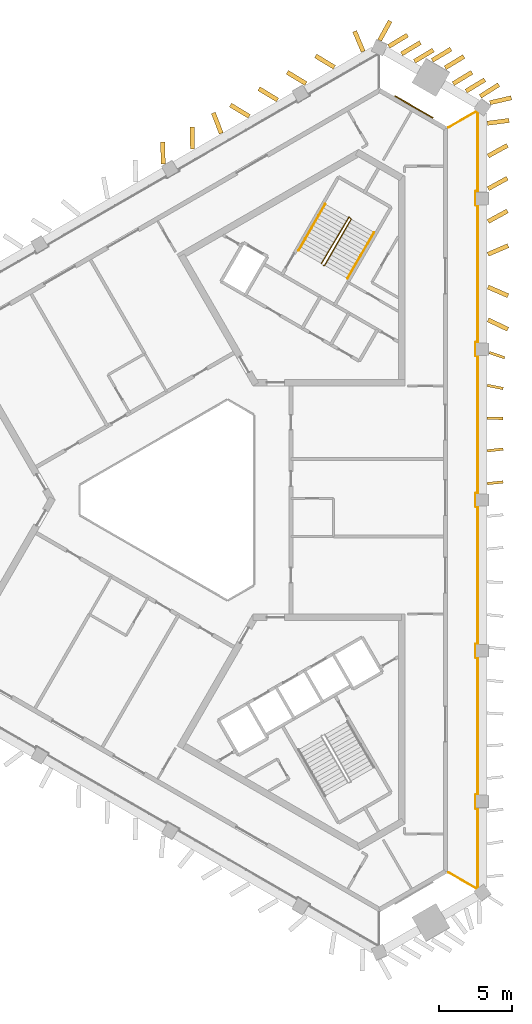
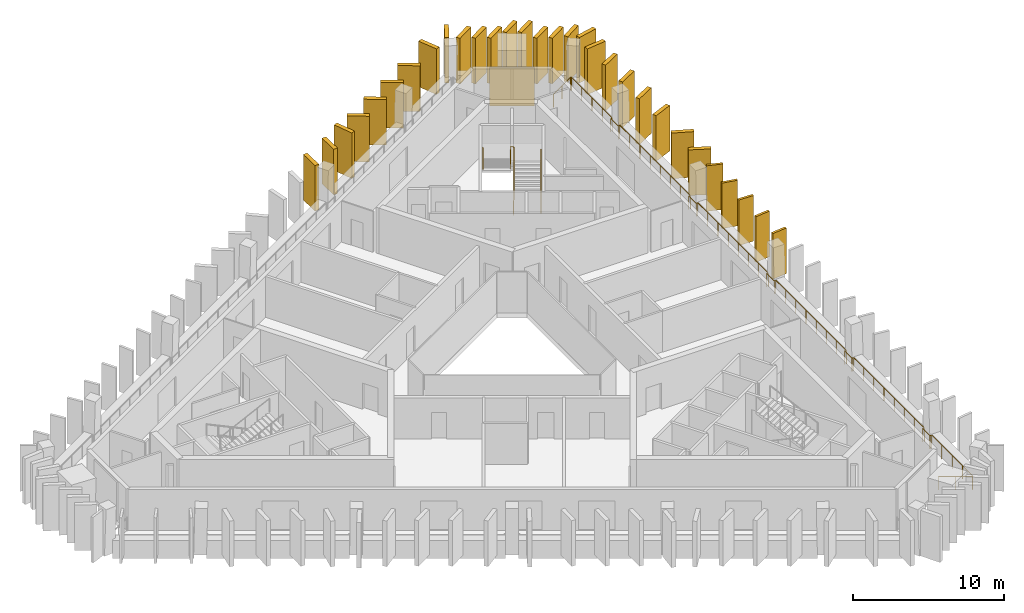
# One storey, part 9 of 9: 30 shading devices, 4 railings, 1 covering.
"""IFC4 building model written with IfcOpenShell, lengths in metres."""

from ifc_helpers import new_model, si_unit, direction, frame, frame_2d, origin, origin_2d, place, context, subcontext, project, spatial, rectangle, circle, extrude, material, layer, layer_set, type_object, element, save


model = new_model("IFC4")

# Units and contexts
model_context = context("Model", 3, precision=1e-05, world=origin(), true_north=direction((0.0, 1.0)))
body_context = subcontext(model_context, "Body", "Model", "MODEL_VIEW")
ifc_project = project(units=[si_unit("LENGTHUNIT", "METRE"), si_unit("AREAUNIT", "SQUARE_METRE"), si_unit("VOLUMEUNIT", "CUBIC_METRE"), si_unit("PLANEANGLEUNIT", "RADIAN"), si_unit("MASSUNIT", "GRAM", prefix="KILO")], contexts=[model_context])

# Site, building, storey
site_placement = place(None, origin())
site = spatial("IfcSite", under=ifc_project, at=site_placement, CompositionType="ELEMENT")
building_placement = place(site_placement, origin())
building = spatial("IfcBuilding", under=site, at=building_placement, Name="Jabali Bay Hotel Tower and Convention Centre", CompositionType="ELEMENT")
storey_placement = place(building_placement, frame((0.0, 0.0, 220.60009765625)))
storey = spatial("IfcBuildingStorey", under=building, at=storey_placement, Name="L54", CompositionType="ELEMENT", Elevation=220.60009765625)

# Railing
ifc_material_1 = material(Name="Glass", Category="glass")
railing_type_1 = type_object("IfcRailingType", Name="Loggia glass guard 1100", PredefinedType="BALUSTRADE", material=ifc_material_1)
railing_1_placement = place(storey_placement, frame((92.85205078125, 105.438720703125, 0.0)))
element("IfcRailing", 1, at=railing_1_placement, inside=storey, type_object=railing_type_1, Name="Loggia glass guard L54", PredefinedType="BALUSTRADE", context=body_context, shape_type="SweptSolid", body=[
    extrude(circle(Radius=0.02490234375, at=origin_2d()), frame((0.0, 0.0, 1.0751953125), z_axis=(0.866008297462, 0.50002962785, 0.0), x_axis=(-0.495751805066, 0.858599476426, 0.13052619222)), (0.0, 0.0, 1.0), 2.247314453125),
    extrude(circle(Radius=0.02490234375, at=origin_2d()), frame((1.9462890625, 1.123779296875, 1.0751953125), z_axis=(0.8, -0.6, 0.0), x_axis=(0.594866916824, 0.793155889099, 0.13052619222)), (0.0, 0.0, 1.0), 0.067138671875),
    extrude(circle(Radius=0.02490234375, at=origin_2d()), frame((2.0, 1.08349609375, 1.0751953125), z_axis=(0.0, -1.0, 0.0), x_axis=(0.991444861374, 0.0, 0.13052619222)), (0.0, 0.0, 1.0), 5.432373046875),
    extrude(circle(Radius=0.02490234375, at=origin_2d()), frame((2.0, -4.348876953125, 1.0751953125), z_axis=(-1.0, 0.0, 0.0), x_axis=(0.0, -0.991444861374, 0.13052619222)), (0.0, 0.0, 1.0), 0.125),
    extrude(circle(Radius=0.02490234375, at=origin_2d()), frame((1.875, -4.348876953125, 1.0751953125), z_axis=(0.0, -1.0, 0.0), x_axis=(0.991444861374, 0.0, 0.13052619222)), (0.0, 0.0, 1.0), 0.9501953125),
    extrude(circle(Radius=0.02490234375, at=origin_2d()), frame((1.875, -5.299072265625, 1.0751953125), z_axis=(1.0, 0.0, 0.0), x_axis=(0.0, 0.991444861374, 0.13052619222)), (0.0, 0.0, 1.0), 0.125),
    extrude(circle(Radius=0.02490234375, at=origin_2d()), frame((2.0, -5.299072265625, 1.0751953125), z_axis=(0.0, -1.0, 0.0), x_axis=(0.991444861374, 0.0, 0.13052619222)), (0.0, 0.0, 1.0), 9.357177734375),
    extrude(circle(Radius=0.02490234375, at=origin_2d()), frame((2.0, -14.65625, 1.0751953125), z_axis=(-1.0, 0.0, 0.0), x_axis=(0.0, -0.991444861374, 0.13052619222)), (0.0, 0.0, 1.0), 0.125),
    extrude(circle(Radius=0.02490234375, at=origin_2d()), frame((1.875, -14.65625, 1.0751953125), z_axis=(0.0, -1.0, 0.0), x_axis=(0.991444861374, 0.0, 0.13052619222)), (0.0, 0.0, 1.0), 0.9501953125),
    extrude(circle(Radius=0.02490234375, at=origin_2d()), frame((1.875, -15.6064453125, 1.0751953125), z_axis=(1.0, 0.0, 0.0), x_axis=(0.0, 0.991444861374, 0.13052619222)), (0.0, 0.0, 1.0), 0.125),
    extrude(circle(Radius=0.02490234375, at=origin_2d()), frame((2.0, -15.6064453125, 1.0751953125), z_axis=(0.0, -1.0, 0.0), x_axis=(0.991444861374, 0.0, 0.13052619222)), (0.0, 0.0, 1.0), 9.357177734375),
    extrude(circle(Radius=0.02490234375, at=origin_2d()), frame((2.0, -24.963623046875, 1.0751953125), z_axis=(-1.0, 0.0, 0.0), x_axis=(0.0, -0.991444861374, 0.13052619222)), (0.0, 0.0, 1.0), 0.125),
    extrude(circle(Radius=0.02490234375, at=origin_2d()), frame((1.875, -24.963623046875, 1.0751953125), z_axis=(0.0, -1.0, 0.0), x_axis=(0.991444861374, 0.0, 0.13052619222)), (0.0, 0.0, 1.0), 0.9501953125),
    extrude(circle(Radius=0.02490234375, at=origin_2d()), frame((1.875, -25.913818359375, 1.0751953125), z_axis=(1.0, 0.0, 0.0), x_axis=(0.0, 0.991444861374, 0.13052619222)), (0.0, 0.0, 1.0), 0.125),
    extrude(circle(Radius=0.02490234375, at=origin_2d()), frame((2.0, -25.913818359375, 1.0751953125), z_axis=(0.0, -1.0, 0.0), x_axis=(0.991444861374, 0.0, 0.13052619222)), (0.0, 0.0, 1.0), 9.357177734375),
    extrude(circle(Radius=0.02490234375, at=origin_2d()), frame((2.0, -35.27099609375, 1.0751953125), z_axis=(-1.0, 0.0, 0.0), x_axis=(0.0, -0.991444861374, 0.13052619222)), (0.0, 0.0, 1.0), 0.125),
    extrude(circle(Radius=0.02490234375, at=origin_2d()), frame((1.875, -35.27099609375, 1.0751953125), z_axis=(0.0, -1.0, 0.0), x_axis=(0.991444861374, 0.0, 0.13052619222)), (0.0, 0.0, 1.0), 0.9501953125),
    extrude(circle(Radius=0.02490234375, at=origin_2d()), frame((1.875, -36.22119140625, 1.0751953125), z_axis=(1.0, 0.0, 0.0), x_axis=(0.0, 0.991444861374, 0.13052619222)), (0.0, 0.0, 1.0), 0.125),
    extrude(circle(Radius=0.02490234375, at=origin_2d()), frame((2.0, -36.22119140625, 1.0751953125), z_axis=(0.0, -1.0, 0.0), x_axis=(0.991444861374, 0.0, 0.13052619222)), (0.0, 0.0, 1.0), 9.357177734375),
    extrude(circle(Radius=0.02490234375, at=origin_2d()), frame((2.0, -45.578369140625, 1.0751953125), z_axis=(-1.0, 0.0, 0.0), x_axis=(0.0, -0.991444861374, 0.13052619222)), (0.0, 0.0, 1.0), 0.125),
    extrude(circle(Radius=0.02490234375, at=origin_2d()), frame((1.875, -45.578369140625, 1.0751953125), z_axis=(0.0, -1.0, 0.0), x_axis=(0.991444861374, 0.0, 0.13052619222)), (0.0, 0.0, 1.0), 0.9501953125),
    extrude(circle(Radius=0.02490234375, at=origin_2d()), frame((1.875, -46.528564453125, 1.0751953125), z_axis=(1.0, 0.0, 0.0), x_axis=(0.0, 0.991444861374, 0.13052619222)), (0.0, 0.0, 1.0), 0.125),
    extrude(circle(Radius=0.02490234375, at=origin_2d()), frame((2.0, -46.528564453125, 1.0751953125), z_axis=(0.0, -1.0, 0.0), x_axis=(0.991444861374, 0.0, 0.13052619222)), (0.0, 0.0, 1.0), 5.432373046875),
    extrude(circle(Radius=0.02490234375, at=origin_2d()), frame((2.0, -51.9609375, 1.0751953125), z_axis=(-0.8, -0.6, 0.0), x_axis=(0.594866916824, -0.793155889099, 0.13052619222)), (0.0, 0.0, 1.0), 0.067138671875),
    extrude(circle(Radius=0.02490234375, at=origin_2d()), frame((1.9462890625, -52.001220703125, 1.0751953125), z_axis=(-0.866008297462, 0.50002962785, 0.0), x_axis=(-0.495751805066, -0.858599476426, 0.13052619222)), (0.0, 0.0, 1.0), 2.247314453125),
    extrude(circle(Radius=0.02001953125, at=origin_2d()), origin(), (0.0, 0.0, 1.0), 1.050048828125),
    extrude(circle(Radius=0.02001953125, at=origin_2d()), frame((0.97314453125, 0.56201171875, 0.0)), (0.0, 0.0, 1.0), 1.050048828125),
    extrude(circle(Radius=0.02001953125, at=origin_2d()), frame((1.9462890625, 1.123779296875, 0.0)), (0.0, 0.0, 1.0), 1.050048828125),
    extrude(circle(Radius=0.02001953125, at=origin_2d()), frame((2.0, 1.08349609375, 0.0)), (0.0, 0.0, 1.0), 1.050048828125),
    extrude(circle(Radius=0.02001953125, at=origin_2d()), frame((2.0, -0.274658203125, 0.0)), (0.0, 0.0, 1.0), 1.050048828125),
    extrude(circle(Radius=0.02001953125, at=origin_2d()), frame((2.0, -1.6328125, 0.0)), (0.0, 0.0, 1.0), 1.050048828125),
    extrude(circle(Radius=0.02001953125, at=origin_2d()), frame((2.0, -2.99072265625, 0.0)), (0.0, 0.0, 1.0), 1.050048828125),
    extrude(circle(Radius=0.02001953125, at=origin_2d()), frame((2.0, -4.348876953125, 0.0)), (0.0, 0.0, 1.0), 1.050048828125),
    extrude(circle(Radius=0.02001953125, at=origin_2d()), frame((1.875, -4.348876953125, 0.0)), (0.0, 0.0, 1.0), 1.050048828125),
    extrude(circle(Radius=0.02001953125, at=origin_2d()), frame((1.875, -5.299072265625, 0.0)), (0.0, 0.0, 1.0), 1.050048828125),
    extrude(circle(Radius=0.02001953125, at=origin_2d()), frame((2.0, -5.299072265625, 0.0)), (0.0, 0.0, 1.0), 1.050048828125),
    extrude(circle(Radius=0.02001953125, at=origin_2d()), frame((2.0, -6.6357421875, 0.0)), (0.0, 0.0, 1.0), 1.050048828125),
    extrude(circle(Radius=0.02001953125, at=origin_2d()), frame((2.0, -7.97265625, 0.0)), (0.0, 0.0, 1.0), 1.050048828125),
    extrude(circle(Radius=0.02001953125, at=origin_2d()), frame((2.0, -9.309326171875, 0.0)), (0.0, 0.0, 1.0), 1.050048828125),
    extrude(circle(Radius=0.02001953125, at=origin_2d()), frame((2.0, -10.64599609375, 0.0)), (0.0, 0.0, 1.0), 1.050048828125),
    extrude(circle(Radius=0.02001953125, at=origin_2d()), frame((2.0, -11.982666015625, 0.0)), (0.0, 0.0, 1.0), 1.050048828125),
    extrude(circle(Radius=0.02001953125, at=origin_2d()), frame((2.0, -13.319580078125, 0.0)), (0.0, 0.0, 1.0), 1.050048828125),
    extrude(circle(Radius=0.02001953125, at=origin_2d()), frame((2.0, -14.65625, 0.0)), (0.0, 0.0, 1.0), 1.050048828125),
    extrude(circle(Radius=0.02001953125, at=origin_2d()), frame((1.875, -14.65625, 0.0)), (0.0, 0.0, 1.0), 1.050048828125),
    extrude(circle(Radius=0.02001953125, at=origin_2d()), frame((1.875, -15.6064453125, 0.0)), (0.0, 0.0, 1.0), 1.050048828125),
    extrude(circle(Radius=0.02001953125, at=origin_2d()), frame((2.0, -15.6064453125, 0.0)), (0.0, 0.0, 1.0), 1.050048828125),
    extrude(circle(Radius=0.02001953125, at=origin_2d()), frame((2.0, -16.943115234375, 0.0)), (0.0, 0.0, 1.0), 1.050048828125),
    extrude(circle(Radius=0.02001953125, at=origin_2d()), frame((2.0, -18.280029296875, 0.0)), (0.0, 0.0, 1.0), 1.050048828125),
    extrude(circle(Radius=0.02001953125, at=origin_2d()), frame((2.0, -19.61669921875, 0.0)), (0.0, 0.0, 1.0), 1.050048828125),
    extrude(circle(Radius=0.02001953125, at=origin_2d()), frame((2.0, -20.953369140625, 0.0)), (0.0, 0.0, 1.0), 1.050048828125),
    extrude(circle(Radius=0.02001953125, at=origin_2d()), frame((2.0, -22.2900390625, 0.0)), (0.0, 0.0, 1.0), 1.050048828125),
    extrude(circle(Radius=0.02001953125, at=origin_2d()), frame((2.0, -23.626953125, 0.0)), (0.0, 0.0, 1.0), 1.050048828125),
    extrude(circle(Radius=0.02001953125, at=origin_2d()), frame((2.0, -24.963623046875, 0.0)), (0.0, 0.0, 1.0), 1.050048828125),
    extrude(circle(Radius=0.02001953125, at=origin_2d()), frame((1.875, -24.963623046875, 0.0)), (0.0, 0.0, 1.0), 1.050048828125),
    extrude(circle(Radius=0.02001953125, at=origin_2d()), frame((1.875, -25.913818359375, 0.0)), (0.0, 0.0, 1.0), 1.050048828125),
    extrude(circle(Radius=0.02001953125, at=origin_2d()), frame((2.0, -25.913818359375, 0.0)), (0.0, 0.0, 1.0), 1.050048828125),
    extrude(circle(Radius=0.02001953125, at=origin_2d()), frame((2.0, -27.25048828125, 0.0)), (0.0, 0.0, 1.0), 1.050048828125),
    extrude(circle(Radius=0.02001953125, at=origin_2d()), frame((2.0, -28.58740234375, 0.0)), (0.0, 0.0, 1.0), 1.050048828125),
    extrude(circle(Radius=0.02001953125, at=origin_2d()), frame((2.0, -29.924072265625, 0.0)), (0.0, 0.0, 1.0), 1.050048828125),
    extrude(circle(Radius=0.02001953125, at=origin_2d()), frame((2.0, -31.2607421875, 0.0)), (0.0, 0.0, 1.0), 1.050048828125),
    extrude(circle(Radius=0.02001953125, at=origin_2d()), frame((2.0, -32.597412109375, 0.0)), (0.0, 0.0, 1.0), 1.050048828125),
    extrude(circle(Radius=0.02001953125, at=origin_2d()), frame((2.0, -33.934326171875, 0.0)), (0.0, 0.0, 1.0), 1.050048828125),
    extrude(circle(Radius=0.02001953125, at=origin_2d()), frame((2.0, -35.27099609375, 0.0)), (0.0, 0.0, 1.0), 1.050048828125),
    extrude(circle(Radius=0.02001953125, at=origin_2d()), frame((1.875, -35.27099609375, 0.0)), (0.0, 0.0, 1.0), 1.050048828125),
    extrude(circle(Radius=0.02001953125, at=origin_2d()), frame((1.875, -36.22119140625, 0.0)), (0.0, 0.0, 1.0), 1.050048828125),
    extrude(circle(Radius=0.02001953125, at=origin_2d()), frame((2.0, -36.22119140625, 0.0)), (0.0, 0.0, 1.0), 1.050048828125),
    extrude(circle(Radius=0.02001953125, at=origin_2d()), frame((2.0, -37.557861328125, 0.0)), (0.0, 0.0, 1.0), 1.050048828125),
    extrude(circle(Radius=0.02001953125, at=origin_2d()), frame((2.0, -38.894775390625, 0.0)), (0.0, 0.0, 1.0), 1.050048828125),
    extrude(circle(Radius=0.02001953125, at=origin_2d()), frame((2.0, -40.2314453125, 0.0)), (0.0, 0.0, 1.0), 1.050048828125),
    extrude(circle(Radius=0.02001953125, at=origin_2d()), frame((2.0, -41.568115234375, 0.0)), (0.0, 0.0, 1.0), 1.050048828125),
    extrude(circle(Radius=0.02001953125, at=origin_2d()), frame((2.0, -42.90478515625, 0.0)), (0.0, 0.0, 1.0), 1.050048828125),
    extrude(circle(Radius=0.02001953125, at=origin_2d()), frame((2.0, -44.24169921875, 0.0)), (0.0, 0.0, 1.0), 1.050048828125),
    extrude(circle(Radius=0.02001953125, at=origin_2d()), frame((2.0, -45.578369140625, 0.0)), (0.0, 0.0, 1.0), 1.050048828125),
    extrude(circle(Radius=0.02001953125, at=origin_2d()), frame((1.875, -45.578369140625, 0.0)), (0.0, 0.0, 1.0), 1.050048828125),
    extrude(circle(Radius=0.02001953125, at=origin_2d()), frame((1.875, -46.528564453125, 0.0)), (0.0, 0.0, 1.0), 1.050048828125),
    extrude(circle(Radius=0.02001953125, at=origin_2d()), frame((2.0, -46.528564453125, 0.0)), (0.0, 0.0, 1.0), 1.050048828125),
    extrude(circle(Radius=0.02001953125, at=origin_2d()), frame((2.0, -47.88671875, 0.0)), (0.0, 0.0, 1.0), 1.050048828125),
    extrude(circle(Radius=0.02001953125, at=origin_2d()), frame((2.0, -49.24462890625, 0.0)), (0.0, 0.0, 1.0), 1.050048828125),
    extrude(circle(Radius=0.02001953125, at=origin_2d()), frame((2.0, -50.602783203125, 0.0)), (0.0, 0.0, 1.0), 1.050048828125),
    extrude(circle(Radius=0.02001953125, at=origin_2d()), frame((2.0, -51.9609375, 0.0)), (0.0, 0.0, 1.0), 1.050048828125),
    extrude(circle(Radius=0.02001953125, at=origin_2d()), frame((1.9462890625, -52.001220703125, 0.0)), (0.0, 0.0, 1.0), 1.050048828125),
    extrude(circle(Radius=0.02001953125, at=origin_2d()), frame((0.97314453125, -51.439453125, 0.0)), (0.0, 0.0, 1.0), 1.050048828125),
    extrude(circle(Radius=0.02001953125, at=origin_2d()), frame((0.0, -50.87744140625, 0.0)), (0.0, 0.0, 1.0), 1.050048828125),
])

# Shading devices
ifc_material_2 = material(Name="Precast concrete C60", Category="concrete")
ifc_layer_1 = layer(ifc_material_2, 0.179931640625)
ifc_layer_set_1 = layer_set([ifc_layer_1], Name="Precast concrete C60")
shading_device_type_1 = type_object("IfcShadingDeviceType", Name="Precast fin 3680 x 1100", PredefinedType="USERDEFINED", material=ifc_layer_set_1)
for number, where, z_axis, x_axis, name in (
    (2, (95.50390625, 81.118896484375, 0.010009765625), (0.0, 0.0, 1.0), (0.994498153958, 0.104754101466, 0.0), "Fin L54 012"),
    (3, (95.50439453125, 83.356689453125, 0.010009765625), (0.0, 0.0, 1.0), (0.993750408333, 0.11162493421, 0.0), "Fin L54 013"),
    (4, (95.4970703125, 85.594482421875, 0.010009765625), (0.0, 0.0, 1.0), (0.999557722705, -0.02973817381, 0.0), "Fin L54 014"),
):
    element("IfcShadingDevice", number, at=place(storey_placement, frame(where, z_axis=z_axis, x_axis=x_axis)), inside=storey, type_object=shading_device_type_1, Name=name, ObjectType="FIN", PredefinedType="USERDEFINED", context=body_context, shape_type="SweptSolid", body=[
        extrude(rectangle(XDim=1.10009765625, YDim=0.179931640625, at=frame_2d((0.550048828125, 0.0))), origin(), (0.0, 0.0, 1.0), 3.679931640625),
    ])
for number, where, z_axis, x_axis, name in (
    (5, (95.512451171875, 87.832275390625, 0.010009765625), (0.0, 0.0, 1.0), (0.979839546654, -0.199786042589, 0.0), "Fin L54 015"),
    (6, (95.65625, 90.070068359375, 0.010009765625), (0.0, 0.0, 1.0), (0.945643939574, -0.325203843069, 0.0), "Fin L54 016"),
):
    element("IfcShadingDevice", number, at=place(storey_placement, frame(where, z_axis=z_axis, x_axis=x_axis)), inside=storey, type_object=shading_device_type_1, Name=name, ObjectType="FIN", PredefinedType="USERDEFINED", context=body_context, shape_type="SweptSolid", body=[
        extrude(rectangle(XDim=1.099853515625, YDim=0.179931640625, at=frame_2d((0.5498046875, 0.0))), origin(), (0.0, 0.0, 1.0), 3.679931640625),
    ])
ifc_layer_2 = layer(ifc_material_2, 0.300048828125)
ifc_layer_set_2 = layer_set([ifc_layer_2], Name="Precast concrete C60")
shading_device_type_2 = type_object("IfcShadingDeviceType", Name="Precast fin 3680 x 1500", PredefinedType="USERDEFINED", material=ifc_layer_set_2)
for number, where, z_axis, x_axis, name in (
    (7, (95.558837890625, 92.307861328125, 0.010009765625), (0.0, 0.0, 1.0), (0.902980822014, -0.429680852581, 0.0), "Fin L54 017"),
    (8, (95.5537109375, 94.545654296875, 0.010009765625), (0.0, 0.0, 1.0), (0.918461739296, -0.395509839888, 0.0), "Fin L54 018"),
    (9, (95.553466796875, 96.783203125, 0.010009765625), (0.0, 0.0, 1.0), (0.919380573861, 0.393369241817, 0.0), "Fin L54 019"),
    (10, (95.566650390625, 99.02099609375, 0.010009765625), (0.0, 0.0, 1.0), (0.876298369105, 0.481768791335, 0.0), "Fin L54 020"),
):
    element("IfcShadingDevice", number, at=place(storey_placement, frame(where, z_axis=z_axis, x_axis=x_axis)), inside=storey, type_object=shading_device_type_2, Name=name, ObjectType="FIN", PredefinedType="USERDEFINED", context=body_context, shape_type="SweptSolid", body=[
        extrude(rectangle(XDim=1.5, YDim=0.300048828125, at=frame_2d((0.75, 0.0))), origin(), (0.0, 0.0, 1.0), 3.679931640625),
    ])
for number, where, z_axis, x_axis, name in (
    (11, (95.566650390625, 101.2587890625, 0.010009765625), (0.0, 0.0, 1.0), (0.876054364323, 0.482212350267, 0.0), "Fin L54 021"),
    (12, (95.566650390625, 103.49658203125, 0.010009765625), (0.0, 0.0, 1.0), (0.876054364323, 0.482212350267, 0.0), "Fin L54 022"),
):
    element("IfcShadingDevice", number, at=place(storey_placement, frame(where, z_axis=z_axis, x_axis=x_axis)), inside=storey, type_object=shading_device_type_2, Name=name, ObjectType="FIN", PredefinedType="USERDEFINED", context=body_context, shape_type="SweptSolid", body=[
        extrude(rectangle(XDim=1.500244140625, YDim=0.300048828125, at=frame_2d((0.75, 0.0))), origin(), (0.0, 0.0, 1.0), 3.679931640625),
    ])
for number, where, z_axis, x_axis, name in (
    (13, (95.513427734375, 105.734375, 0.010009765625), (0.0, 0.0, 1.0), (0.991887454119, 0.127119150257, 0.0), "Fin L54 023"),
    (14, (95.02783203125, 107.56884765625, 0.010009765625), (0.0, 0.0, 1.0), (0.845879308005, 0.533374349111, 0.0), "Fin L54 024"),
    (15, (94.06005859375, 107.92724609375, 0.010009765625), (0.0, 0.0, 1.0), (0.85575041753, 0.517388850766, 0.0), "Fin L54 025"),
):
    element("IfcShadingDevice", number, at=place(storey_placement, frame(where, z_axis=z_axis, x_axis=x_axis)), inside=storey, type_object=shading_device_type_2, Name=name, ObjectType="FIN", PredefinedType="USERDEFINED", context=body_context, shape_type="SweptSolid", body=[
        extrude(rectangle(XDim=1.5, YDim=0.300048828125, at=frame_2d((0.75, 0.0))), origin(), (0.0, 0.0, 1.0), 3.679931640625),
    ])
shading_device_placement = place(storey_placement, frame((93.17919921875, 108.435791015625, 0.010009765625), z_axis=(0.0, 0.0, 1.0), x_axis=(0.855678355886, 0.517508020487, 0.0)))
element("IfcShadingDevice", 16, at=shading_device_placement, inside=storey, type_object=shading_device_type_2, Name="Fin L54 026", ObjectType="FIN", PredefinedType="USERDEFINED", context=body_context, shape_type="SweptSolid", body=[
    extrude(rectangle(XDim=1.500244140625, YDim=0.300048828125, at=frame_2d((0.75, 0.0))), origin(), (0.0, 0.0, 1.0), 3.679931640625),
])
for number, where, z_axis, x_axis, name in (
    (17, (92.629638671875, 109.518310546875, 0.010009765625), (0.0, 0.0, 1.0), (0.855706841124, 0.517460918382, 0.0), "Fin L54 027"),
    (18, (91.748779296875, 110.02685546875, 0.010009765625), (0.0, 0.0, 1.0), (0.855706841124, 0.517460918382, 0.0), "Fin L54 028"),
    (19, (90.53662109375, 109.961669921875, 0.010009765625), (0.0, 0.0, 1.0), (0.855706841124, 0.517460918382, 0.0), "Fin L54 029"),
):
    element("IfcShadingDevice", number, at=place(storey_placement, frame(where, z_axis=z_axis, x_axis=x_axis)), inside=storey, type_object=shading_device_type_2, Name=name, ObjectType="FIN", PredefinedType="USERDEFINED", context=body_context, shape_type="SweptSolid", body=[
        extrude(rectangle(XDim=1.499755859375, YDim=0.300048828125, at=frame_2d((0.75, 0.0))), origin(), (0.0, 0.0, 1.0), 3.679931640625),
    ])
for number, where, z_axis, x_axis, name in (
    (20, (89.655517578125, 110.47021484375, 0.010009765625), (0.0, 0.0, 1.0), (0.85575041753, 0.517388850766, 0.0), "Fin L54 030"),
    (21, (88.774658203125, 110.978759765625, 0.010009765625), (0.0, 0.0, 1.0), (0.855634763077, 0.51758009256, 0.0), "Fin L54 031"),
    (22, (87.030029296875, 110.63232421875, 0.010009765625), (0.0, 0.0, 1.0), (-0.386382845239, 0.92233849367, 0.0), "Fin L54 032"),
):
    element("IfcShadingDevice", number, at=place(storey_placement, frame(where, z_axis=z_axis, x_axis=x_axis)), inside=storey, type_object=shading_device_type_2, Name=name, ObjectType="FIN", PredefinedType="USERDEFINED", context=body_context, shape_type="SweptSolid", body=[
        extrude(rectangle(XDim=1.5, YDim=0.300048828125, at=frame_2d((0.75, 0.0))), origin(), (0.0, 0.0, 1.0), 3.679931640625),
    ])
for number, where, z_axis, x_axis, name in (
    (23, (85.0654296875, 109.5595703125, 0.010009765625), (0.0, 0.0, 1.0), (-0.855678355886, 0.517508020487, 0.0), "Fin L54 033"),
    (24, (83.12744140625, 108.440673828125, 0.010009765625), (0.0, 0.0, 1.0), (-0.855678355886, 0.517508020487, 0.0), "Fin L54 034"),
    (25, (81.189453125, 107.32177734375, 0.010009765625), (0.0, 0.0, 1.0), (-0.855678355886, 0.517508020487, 0.0), "Fin L54 035"),
    (26, (79.25146484375, 106.202880859375, 0.010009765625), (0.0, 0.0, 1.0), (-0.855678355886, 0.517508020487, 0.0), "Fin L54 036"),
):
    element("IfcShadingDevice", number, at=place(storey_placement, frame(where, z_axis=z_axis, x_axis=x_axis)), inside=storey, type_object=shading_device_type_2, Name=name, ObjectType="FIN", PredefinedType="USERDEFINED", context=body_context, shape_type="SweptSolid", body=[
        extrude(rectangle(XDim=1.500244140625, YDim=0.300048828125, at=frame_2d((0.75, 0.0))), origin(), (0.0, 0.0, 1.0), 3.679931640625),
    ])
for number, where, z_axis, x_axis, name in (
    (27, (77.337890625, 105.041748046875, 0.010009765625), (0.0, 0.0, 1.0), (-0.358586381432, 0.93349654903, 0.0), "Fin L54 037"),
    (28, (75.37548828125, 103.965087890625, 0.010009765625), (0.0, 0.0, 1.0), (-0.020344152619, 0.99979303631, 0.0), "Fin L54 038"),
    (29, (73.371337890625, 102.9609375, 0.010009765625), (0.0, 0.0, 1.0), (-0.020344152619, 0.99979303631, 0.0), "Fin L54 039"),
    (30, (95.69287109375, 107.13671875, 0.010009765625), (0.0, 0.0, 1.0), (0.97493421142, 0.222493333391, 0.0), "Fin L54 097"),
    (31, (88.154541015625, 111.400146484375, 0.010009765625), (0.0, 0.0, 1.0), (0.482406003253, 0.875947742748, 0.0), "Fin L54 098"),
):
    element("IfcShadingDevice", number, at=place(storey_placement, frame(where, z_axis=z_axis, x_axis=x_axis)), inside=storey, type_object=shading_device_type_2, Name=name, ObjectType="FIN", PredefinedType="USERDEFINED", context=body_context, shape_type="SweptSolid", body=[
        extrude(rectangle(XDim=1.5, YDim=0.300048828125, at=frame_2d((0.75, 0.0))), origin(), (0.0, 0.0, 1.0), 3.679931640625),
    ])

# Covering
ifc_material_3 = material(Name="Precast concrete C40/50", Category="concrete")
ifc_layer_3 = layer(ifc_material_3, 0.080078125)
ifc_layer_set_3 = layer_set([ifc_layer_3], Name="Precast concrete C40/50")
covering_type = type_object("IfcCoveringType", Name="Relief panel 3000 x 3100", PredefinedType="CLADDING", material=ifc_layer_set_3)
covering_placement = place(storey_placement, frame((90.498291015625, 106.843994140625, 0.099853515625), z_axis=(0.0, 0.0, 1.0), x_axis=(0.8660253971, -0.500000011578, 0.0)))
element("IfcCovering", 32, at=covering_placement, inside=storey, type_object=covering_type, Name="Relief panel L54", PredefinedType="CLADDING", context=body_context, shape_type="SweptSolid", body=[
    extrude(rectangle(XDim=3.0, YDim=0.080078125, at=origin_2d()), origin(), (0.0, 0.0, 1.0), 3.10009765625),
])

# Railings
ifc_material_4 = material(Name="Steel Q355B", Category="steel")
railing_type_2 = type_object("IfcRailingType", Name="Stair guard 1100", PredefinedType="GUARDRAIL", material=ifc_material_4)
railing_2_placement = place(storey_placement, frame((84.329833984375, 96.010009765625, 0.0)))
element("IfcRailing", 33, at=railing_2_placement, inside=storey, type_object=railing_type_2, Name="L54 ST2 stair guard 1", PredefinedType="GUARDRAIL", context=body_context, shape_type="SweptSolid", body=[
    extrude(circle(Radius=0.02392578125, at=origin_2d()), frame((0.0, 0.0, 1.076171875), z_axis=(0.456201556387, 0.122196845461, 0.881446578591), x_axis=(-0.258736085224, 0.965948051503, 0.0)), (0.0, 0.0, 1.0), 0.14990234375),
    extrude(circle(Radius=0.02392578125, at=origin_2d()), frame((0.068359375, 0.018310546875, 1.2080078125), z_axis=(0.452190331055, 0.783190014029, 0.426775475427), x_axis=(-0.866018046521, 0.500012742938, 0.0)), (0.0, 0.0, 1.0), 4.02490234375),
    extrude(circle(Radius=0.02392578125, at=origin_2d()), frame((1.888427734375, 3.170654296875, 2.92578125), z_axis=(-0.718850276695, 0.695164929852, 0.0), x_axis=(-0.695164929852, -0.718850276695, 0.0)), (0.0, 0.0, 1.0), 0.2060546875),
    extrude(circle(Radius=0.02392578125, at=origin_2d()), frame((1.740234375, 3.31396484375, 2.92578125), z_axis=(-0.457445338502, -0.768046879266, 0.448160410493), x_axis=(0.859157857954, -0.511710636118, 0.0)), (0.0, 0.0, 1.0), 4.128173828125),
    extrude(circle(Radius=0.02099609375, at=origin_2d()), origin(), (0.0, 0.0, 1.0), 1.052001953125),
    extrude(circle(Radius=0.02099609375, at=origin_2d()), frame((0.068359375, 0.018310546875, 0.132080078125)), (0.0, 0.0, 1.0), 1.052001953125),
    extrude(circle(Radius=0.02099609375, at=origin_2d()), frame((0.5234375, 0.806396484375, 0.5615234375)), (0.0, 0.0, 1.0), 1.052001953125),
    extrude(circle(Radius=0.02099609375, at=origin_2d()), frame((0.978515625, 1.594482421875, 0.990966796875)), (0.0, 0.0, 1.0), 1.052001953125),
    extrude(circle(Radius=0.02099609375, at=origin_2d()), frame((1.433349609375, 2.382568359375, 1.42041015625)), (0.0, 0.0, 1.0), 1.052001953125),
    extrude(circle(Radius=0.02099609375, at=origin_2d()), frame((1.888427734375, 3.170654296875, 1.849853515625)), (0.0, 0.0, 1.0), 1.052001953125),
    extrude(circle(Radius=0.02099609375, at=origin_2d()), frame((1.740234375, 3.31396484375, 1.849853515625)), (0.0, 0.0, 1.0), 1.052001953125),
    extrude(circle(Radius=0.02099609375, at=origin_2d()), frame((1.26806640625, 2.521240234375, 2.3125)), (0.0, 0.0, 1.0), 1.052001953125),
    extrude(circle(Radius=0.02099609375, at=origin_2d()), frame((0.7958984375, 1.728515625, 2.77490234375)), (0.0, 0.0, 1.0), 1.052001953125),
    extrude(circle(Radius=0.02099609375, at=origin_2d()), frame((0.323974609375, 0.93603515625, 3.2373046875)), (0.0, 0.0, 1.0), 1.052001953125),
    extrude(circle(Radius=0.02099609375, at=origin_2d()), frame((-0.148193359375, 0.143310546875, 3.699951171875)), (0.0, 0.0, 1.0), 1.052001953125),
])
railing_type_3 = type_object("IfcRailingType", Name="Stair handrail 900", PredefinedType="HANDRAIL", material=ifc_material_4)
railing_3_placement = place(storey_placement, frame((85.95703125, 95.128173828125, 0.132080078125)))
element("IfcRailing", 34, at=railing_3_placement, inside=storey, type_object=railing_type_3, Name="L54 ST2 stair handrail 1", PredefinedType="HANDRAIL", context=body_context, shape_type="SweptSolid", body=[
    extrude(circle(Radius=0.02392578125, at=origin_2d()), frame((0.0, 0.0, 0.8759765625), z_axis=(0.452190331055, 0.783190014029, 0.426775475427), x_axis=(-0.866018046521, 0.500012742938, 0.0)), (0.0, 0.0, 1.0), 4.02490234375),
    extrude(circle(Radius=0.02099609375, at=origin_2d()), origin(), (0.0, 0.0, 1.0), 0.851806640625),
    extrude(circle(Radius=0.02099609375, at=origin_2d()), frame((0.455078125, 0.7880859375, 0.429443359375)), (0.0, 0.0, 1.0), 0.851806640625),
    extrude(circle(Radius=0.02099609375, at=origin_2d()), frame((0.91015625, 1.576171875, 0.85888671875)), (0.0, 0.0, 1.0), 0.851806640625),
    extrude(circle(Radius=0.02099609375, at=origin_2d()), frame((1.364990234375, 2.3642578125, 1.288330078125)), (0.0, 0.0, 1.0), 0.851806640625),
    extrude(circle(Radius=0.02099609375, at=origin_2d()), frame((1.820068359375, 3.15234375, 1.7177734375)), (0.0, 0.0, 1.0), 0.851806640625),
])
railing_4_placement = place(storey_placement, frame((84.44287109375, 100.20556640625, 1.98193359375)))
element("IfcRailing", 35, at=railing_4_placement, inside=storey, type_object=railing_type_3, Name="L54 ST2 stair handrail 2", PredefinedType="HANDRAIL", context=body_context, shape_type="SweptSolid", body=[
    extrude(circle(Radius=0.02392578125, at=origin_2d()), frame((0.0, 0.0, 0.8759765625), z_axis=(-0.45217862506, -0.783169739339, 0.426825081763), x_axis=(0.866018046521, -0.500012742938, 0.0)), (0.0, 0.0, 1.0), 4.025146484375),
    extrude(circle(Radius=0.02099609375, at=origin_2d()), origin(), (0.0, 0.0, 1.0), 0.851806640625),
    extrude(circle(Radius=0.02099609375, at=origin_2d()), frame((-0.455078125, -0.7880859375, 0.429443359375)), (0.0, 0.0, 1.0), 0.851806640625),
    extrude(circle(Radius=0.02099609375, at=origin_2d()), frame((-0.91015625, -1.576171875, 0.85888671875)), (0.0, 0.0, 1.0), 0.851806640625),
    extrude(circle(Radius=0.02099609375, at=origin_2d()), frame((-1.364990234375, -2.3642578125, 1.28857421875)), (0.0, 0.0, 1.0), 0.851806640625),
    extrude(circle(Radius=0.02099609375, at=origin_2d()), frame((-1.820068359375, -3.15234375, 1.718017578125)), (0.0, 0.0, 1.0), 0.851806640625),
])

save(model, "model.ifc")
